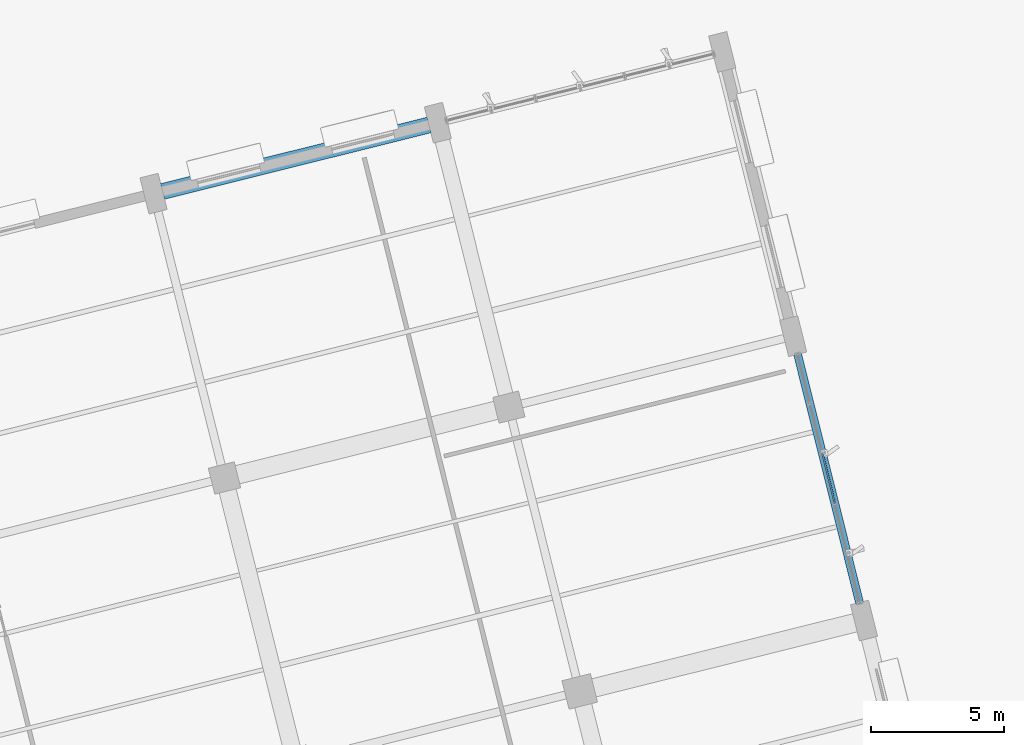
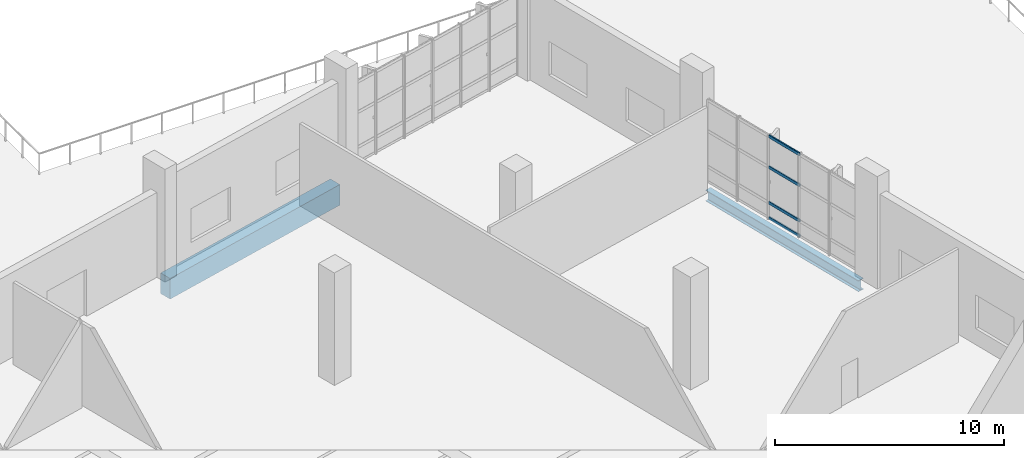
# One storey, part 104 of 163: 4 members, 2 beams, 1 element without a shape of its own.
"""IFC4 building model written with IfcOpenShell, lengths in metres."""

from ifc_helpers import new_model, si_unit, direction, frame, origin, origin_2d, place, context, subcontext, project, spatial, rectangle, hollow_rectangle, i_section, extrude, material, layer, layer_set, material_profile, profile_set, type_object, element, aggregate, save


model = new_model("IFC4")

# Units and contexts
model_context = context("Model", 3, precision=1e-05, world=origin(), true_north=direction((0.0, 1.0)))
body_context = subcontext(model_context, "Body", "Model", "MODEL_VIEW")
ifc_project = project(units=[si_unit("LENGTHUNIT", "METRE"), si_unit("AREAUNIT", "SQUARE_METRE"), si_unit("VOLUMEUNIT", "CUBIC_METRE"), si_unit("PLANEANGLEUNIT", "RADIAN"), si_unit("MASSUNIT", "GRAM", prefix="KILO")], contexts=[model_context])

# Site, building, storey
site_placement = place(None, origin())
site = spatial("IfcSite", under=ifc_project, at=site_placement, CompositionType="ELEMENT")
building_placement = place(site_placement, origin())
building = spatial("IfcBuilding", under=site, at=building_placement, Name="Khorjan Park Terminus", CompositionType="ELEMENT")
storey_placement = place(building_placement, origin())
storey = spatial("IfcBuildingStorey", under=building, at=storey_placement, Name="L00", CompositionType="ELEMENT", Elevation=0.0)

# Beams
ifc_material_1 = material(Name="Steel S355", Category="steel")
ifc_material_profile_1 = material_profile(ifc_material_1, i_section(OverallWidth=0.3, OverallDepth=0.59, WebThickness=0.013, FlangeThickness=0.025, FilletRadius=0.027, at=origin_2d()), Name="HEA 600")
ifc_profile_set_1 = profile_set([ifc_material_profile_1], Name="Steel S355")
beam_type_1 = type_object("IfcBeamType", Name="BM-HEA600", PredefinedType="BEAM", material=ifc_profile_set_1)
beam_1_placement = place(storey_placement, frame((219.2268, 61.3342, -0.645), z_axis=(-0.241923473335, 0.970295332901, 0.0), x_axis=(-0.970295332901, -0.241923473335, 0.0)))
element("IfcBeam", 1, at=beam_1_placement, inside=storey, type_object=beam_type_1, Name="Primary skew-grid floor girder SB-A60 (L00)", PredefinedType="BEAM", context=body_context, shape_type="SweptSolid", body=[
    extrude(i_section(OverallWidth=0.3, OverallDepth=0.59, WebThickness=0.013, FlangeThickness=0.025, FilletRadius=0.027, at=origin_2d()), origin(), (0.0, 0.0, 1.0), 9.6101),
])
ifc_material_2 = material(Name="Concrete C40/50", Category="concrete")
ifc_material_profile_2 = material_profile(ifc_material_2, rectangle(XDim=0.6, YDim=1.1, at=origin_2d()), Name="RC 600x1100")
ifc_profile_set_2 = profile_set([ifc_material_profile_2], Name="Concrete C40/50")
beam_type_2 = type_object("IfcBeamType", Name="BM-RC600x1100", PredefinedType="BEAM", material=ifc_profile_set_2)
beam_2_placement = place(storey_placement, frame((193.0609, 76.7675, -0.9), z_axis=(0.970294075028, 0.241928518297, 0.0), x_axis=(-0.241928518297, 0.970294075028, 0.0)))
element("IfcBeam", 2, at=beam_2_placement, inside=storey, type_object=beam_type_2, Name="Primary skew-grid floor girder GB-11 (L00)", PredefinedType="BEAM", context=body_context, shape_type="SweptSolid", body=[
    extrude(rectangle(XDim=0.6, YDim=1.1, at=origin_2d()), origin(), (0.0, 0.0, 1.0), 10.3101),
])

# Curtain wall, members
ifc_material_3 = material(Name="Anodized Bronze Aluminium", Category="aluminium")
ifc_layer = layer(ifc_material_3, 0.22)
ifc_layer_set = layer_set([ifc_layer], Name="Anodized Bronze Aluminium")
curtain_wall_type = type_object("IfcCurtainWallType", Name="CW-OPS-B", PredefinedType="NOTDEFINED", material=ifc_layer_set)
curtain_wall_placement = place(storey_placement, origin())
curtain_wall = element("IfcCurtainWall", 3, at=curtain_wall_placement, inside=storey, type_object=curtain_wall_type, Name="Unitized curtain wall CW-B (CW-V5-E-L00-B05)", PredefinedType="NOTDEFINED")
ifc_material_profile_3 = material_profile(ifc_material_3, hollow_rectangle(XDim=0.07, YDim=0.16, WallThickness=0.004, InnerFilletRadius=0.004, OuterFilletRadius=0.008, at=origin_2d()), Name="ALT 70x160x4")
ifc_profile_set_3 = profile_set([ifc_material_profile_3], Name="Anodized Bronze Aluminium")
member_type = type_object("IfcMemberType", Name="TR-ALT-160", PredefinedType="USERDEFINED", material=ifc_profile_set_3)
member_1_placement = place(storey_placement, frame((218.2976, 65.0612, 0.04), z_axis=(-0.241925332546, 0.970294869342, 0.0), x_axis=(-0.970294869342, -0.241925332546, 0.0)))
member_1 = element("IfcMember", 4, at=member_1_placement, type_object=member_type, Name="Curtain-wall transom TR-16 (CW-V5-E-L00-B05-2-1)", ObjectType="TRANSOM", PredefinedType="USERDEFINED", context=body_context, shape_type="SweptSolid", body=[
    extrude(hollow_rectangle(XDim=0.07, YDim=0.16, WallThickness=0.004, InnerFilletRadius=0.004, OuterFilletRadius=0.008, at=origin_2d()), origin(), (0.0, 0.0, 1.0), 1.9279),
])
member_2_placement = place(storey_placement, frame((218.2976, 65.0612, 0.85), z_axis=(-0.241925332546, 0.970294869342, 0.0), x_axis=(-0.970294869342, -0.241925332546, 0.0)))
member_2 = element("IfcMember", 5, at=member_2_placement, type_object=member_type, Name="Curtain-wall transom TR-16 (CW-V5-E-L00-B05-2-2)", ObjectType="TRANSOM", PredefinedType="USERDEFINED", context=body_context, shape_type="SweptSolid", body=[
    extrude(hollow_rectangle(XDim=0.07, YDim=0.16, WallThickness=0.004, InnerFilletRadius=0.004, OuterFilletRadius=0.008, at=origin_2d()), origin(), (0.0, 0.0, 1.0), 1.9279),
])
member_3_placement = place(storey_placement, frame((218.2976, 65.0612, 2.7435), z_axis=(-0.241925332546, 0.970294869342, 0.0), x_axis=(-0.970294869342, -0.241925332546, 0.0)))
member_3 = element("IfcMember", 6, at=member_3_placement, type_object=member_type, Name="Curtain-wall transom TR-16 (CW-V5-E-L00-B05-2-3)", ObjectType="TRANSOM", PredefinedType="USERDEFINED", context=body_context, shape_type="SweptSolid", body=[
    extrude(hollow_rectangle(XDim=0.07, YDim=0.16, WallThickness=0.004, InnerFilletRadius=0.004, OuterFilletRadius=0.008, at=origin_2d()), origin(), (0.0, 0.0, 1.0), 1.9279),
])
member_4_placement = place(storey_placement, frame((218.2976, 65.0612, 4.385), z_axis=(-0.241925332546, 0.970294869342, 0.0), x_axis=(-0.970294869342, -0.241925332546, 0.0)))
member_4 = element("IfcMember", 7, at=member_4_placement, type_object=member_type, Name="Curtain-wall transom TR-16 (CW-V5-E-L00-B05-2-4)", ObjectType="TRANSOM", PredefinedType="USERDEFINED", context=body_context, shape_type="SweptSolid", body=[
    extrude(hollow_rectangle(XDim=0.07, YDim=0.16, WallThickness=0.004, InnerFilletRadius=0.004, OuterFilletRadius=0.008, at=origin_2d()), origin(), (0.0, 0.0, 1.0), 1.9279),
])
aggregate(curtain_wall, [member_1, member_2, member_3, member_4])

save(model, "model.ifc")
